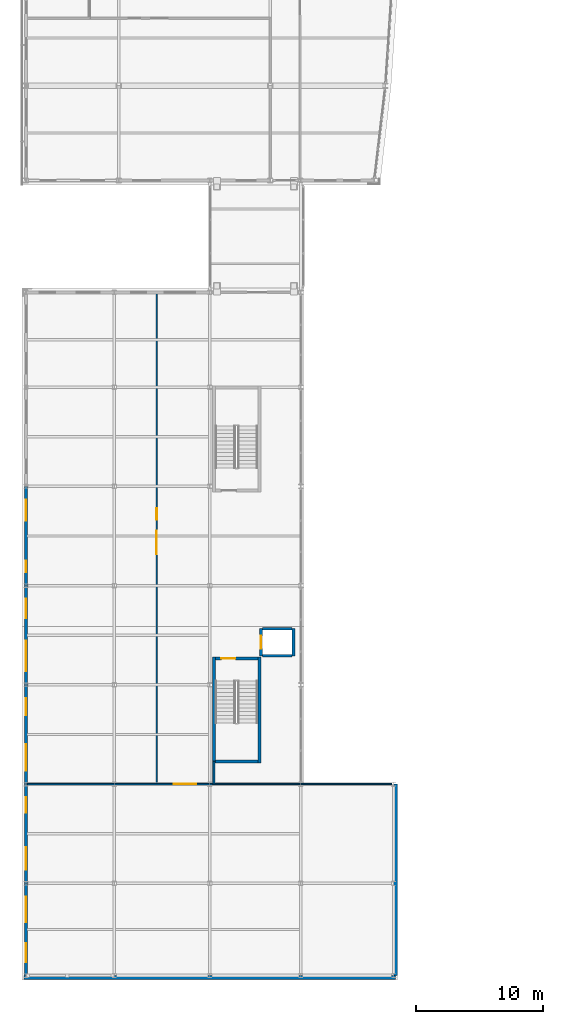
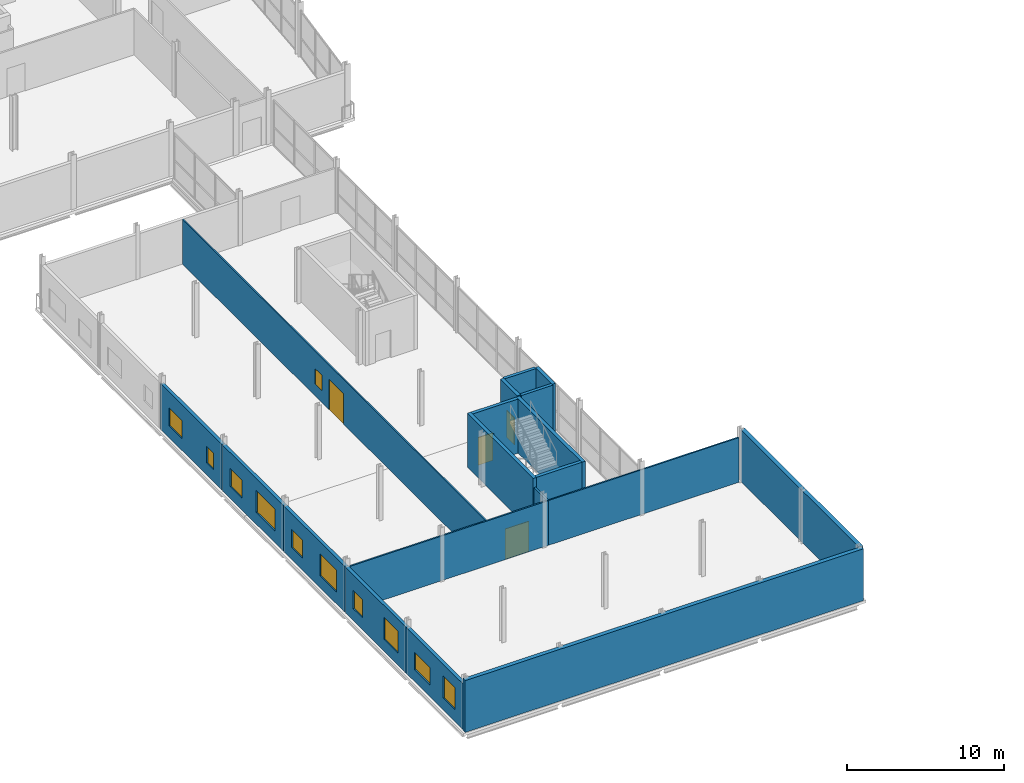
# One storey, part 48 of 60: 19 walls, 11 windows, 4 doors, 15 openings.
"""IFC4 building model written with IfcOpenShell, lengths in metres."""

from ifc_helpers import new_model, si_unit, direction, frame, frame_2d, origin, place, context, subcontext, project, spatial, rectangle, extrude, material, layer, layer_set, type_object, element, fill, save


model = new_model("IFC4")

# Units and contexts
model_context = context("Model", 3, precision=1e-05, world=origin(), true_north=direction((0.0, 1.0)))
body_context = subcontext(model_context, "Body", "Model", "MODEL_VIEW")
ifc_project = project(units=[si_unit("LENGTHUNIT", "METRE"), si_unit("AREAUNIT", "SQUARE_METRE"), si_unit("VOLUMEUNIT", "CUBIC_METRE"), si_unit("PLANEANGLEUNIT", "RADIAN"), si_unit("MASSUNIT", "GRAM", prefix="KILO")], contexts=[model_context])

# Site, building, storey
site_placement = place(None, origin())
site = spatial("IfcSite", under=ifc_project, at=site_placement, CompositionType="ELEMENT")
building_placement = place(site_placement, origin())
building = spatial("IfcBuilding", under=site, at=building_placement, Name="Quillay Park Conservatory", CompositionType="ELEMENT")
storey_placement = place(building_placement, frame((0.0, 0.0, 9.89990234375)))
storey = spatial("IfcBuildingStorey", under=building, at=storey_placement, Name="L02", CompositionType="ELEMENT", Elevation=9.89990234375)

# Wall, openings, window, door
ifc_material_1 = material(Name="Steel-Stud Acoustic Gypsum Board Partition", Category="steel")
ifc_layer_1 = layer(ifc_material_1, 0.10009765625)
ifc_layer_set_1 = layer_set([ifc_layer_1], Name="ACOUSTIC GYPSUM PARTITION 100 (Steel-Stud Acoustic Gypsum Board Partition)")
wall_type_1 = type_object("IfcWallType", Name="ACOUSTIC GYPSUM PARTITION 100", PredefinedType="PARTITIONING", material=ifc_layer_set_1)
wall_1_placement = place(storey_placement, frame((10.820068359375, 15.60009765625, 0.0), z_axis=(0.0, 0.0, 1.0), x_axis=(0.0, 1.0, 0.0)))
wall_1 = element("IfcWall", 1, at=wall_1_placement, inside=storey, type_object=wall_type_1, Name="L02 Library Reading Hall East Wall", PredefinedType="PARTITIONING", context=body_context, shape_type="SweptSolid", body=[
    extrude(rectangle(XDim=38.5498046875, YDim=0.10009765625, at=frame_2d((19.27490234375, 0.0))), origin(), (0.0, 0.0, 1.0), 3.466064453125),
])
opening_1_placement = place(wall_1_placement, frame((18.074951171875, 0.0, 0.0)))
opening_1 = element("IfcOpeningElement", 2, at=opening_1_placement, cuts=wall_1, Name="Opening D-RM29", PredefinedType="OPENING", context=body_context, shape_type="SweptSolid", body=[
    extrude(rectangle(XDim=1.85009765625, YDim=2.35009765625, at=frame_2d((0.925048828125, 1.175048828125))), frame((0.0, 0.050048828125, 0.0), z_axis=(0.0, -1.0, 0.0), x_axis=(1.0, 0.0, 0.0)), (0.0, 0.0, 1.0), 0.10009765625),
])
opening_2_placement = place(wall_1_placement, frame((20.77490234375, 0.0, 0.919921875)))
opening_2 = element("IfcOpeningElement", 3, at=opening_2_placement, cuts=wall_1, Name="Opening W-IN05", PredefinedType="OPENING", context=body_context, shape_type="SweptSolid", body=[
    extrude(rectangle(XDim=0.89990234375, YDim=1.199951171875, at=frame_2d((0.449951171875, 0.60009765625))), frame((0.0, 0.050048828125, 0.0), z_axis=(0.0, -1.0, 0.0), x_axis=(1.0, 0.0, 0.0)), (0.0, 0.0, 1.0), 0.10009765625),
])
ifc_material_2 = material(Name="Low-E Double Glazing (Laminated Tempered)", Category="glass")
window_type_1 = type_object("IfcWindowType", Name="OPERABLE VENT WINDOW 900 X1200", PartitioningType="SINGLE_PANEL", PredefinedType="WINDOW", material=ifc_material_2)
window_1_placement = place(opening_2_placement, origin())
window_1 = element("IfcWindow", 4, at=window_1_placement, inside=storey, type_object=window_type_1, Name="L02 Laboratory Vision Panel 005", OverallHeight=1.199951171875, OverallWidth=0.89990234375, PartitioningType="SINGLE_PANEL", PredefinedType="WINDOW", context=body_context, shape_type="SweptSolid", body=[
    extrude(rectangle(XDim=0.89990234375, YDim=1.199951171875, at=frame_2d((0.449951171875, 0.60009765625))), frame((0.0, 0.030029296875, 0.0), z_axis=(0.0, -1.0, 0.0), x_axis=(1.0, 0.0, 0.0)), (0.0, 0.0, 1.0), 0.06005859375),
])
fill(opening_2, window_1)
ifc_material_3 = material(Name="Thermally Broken Anodised Aluminium 6063-T6", Category="aluminium")
door_type_1 = type_object("IfcDoorType", Name="SINGLE SWING DOOR 1850 X2350", OperationType="NOTDEFINED", PredefinedType="DOOR", material=ifc_material_3)
door_1_placement = place(opening_1_placement, origin())
door_1 = element("IfcDoor", 5, at=door_1_placement, inside=storey, type_object=door_type_1, Name="L02 Door to Botanical Reference Library Reading Hall", OperationType="SINGLE_SWING_LEFT", OverallHeight=2.35009765625, OverallWidth=1.85009765625, PredefinedType="DOOR", context=body_context, shape_type="SweptSolid", body=[
    extrude(rectangle(XDim=1.85009765625, YDim=2.35009765625, at=frame_2d((0.925048828125, 1.175048828125))), frame((0.0, 0.02490234375, 0.0), z_axis=(0.0, -1.0, 0.0), x_axis=(1.0, 0.0, 0.0)), (0.0, 0.0, 1.0), 0.050048828125),
])
fill(opening_1, door_1)

# Wall
ifc_material_4 = material(Name="Steel-Stud Acoustic Gypsum Board Partition", Category="steel")
ifc_layer_2 = layer(ifc_material_4, 0.10498046875)
ifc_layer_set_2 = layer_set([ifc_layer_2], Name="ACOUSTIC GYPSUM PARTITION 105 (Steel-Stud Acoustic Gypsum Board Partition)")
wall_type_2 = type_object("IfcWallType", Name="ACOUSTIC GYPSUM PARTITION 105", PredefinedType="PARTITIONING", material=ifc_layer_set_2)
wall_2_placement = place(storey_placement, frame((29.301513671875, 15.60009765625, 0.0), z_axis=(0.0, 0.0, 1.0), x_axis=(-1.0, 0.0, 0.0)))
element("IfcWall", 6, at=wall_2_placement, inside=storey, type_object=wall_type_2, Name="L02 Rare Book North Wall E", PredefinedType="PARTITIONING", context=body_context, shape_type="SweptSolid", body=[
    extrude(rectangle(XDim=13.9814453125, YDim=0.10498046875, at=frame_2d((6.99072265625, 0.0))), origin(), (0.0, 0.0, 1.0), 3.466064453125),
])

# Wall, opening, door
ifc_material_5 = material(Name="Steel-Stud Acoustic Gypsum Board Partition", Category="steel")
ifc_layer_3 = layer(ifc_material_5, 0.110107421875)
ifc_layer_set_3 = layer_set([ifc_layer_3], Name="ACOUSTIC GYPSUM PARTITION 110 (Steel-Stud Acoustic Gypsum Board Partition)")
wall_type_3 = type_object("IfcWallType", Name="ACOUSTIC GYPSUM PARTITION 110", PredefinedType="PARTITIONING", material=ifc_layer_set_3)
wall_3_placement = place(storey_placement, frame((0.64990234375, 15.60009765625, 0.0), z_axis=(0.0, 0.0, 1.0), x_axis=(1.0, 0.0, 0.0)))
wall_3 = element("IfcWall", 7, at=wall_3_placement, inside=storey, type_object=wall_type_3, Name="L02 Rare Book North Wall W", PredefinedType="PARTITIONING", context=body_context, shape_type="SweptSolid", body=[
    extrude(rectangle(XDim=14.670166015625, YDim=0.110107421875, at=frame_2d((7.3349609375, 0.0))), origin(), (0.0, 0.0, 1.0), 3.466064453125),
])
opening_3_placement = place(wall_3_placement, frame((11.52490234375, 0.0, 0.0)))
opening_3 = element("IfcOpeningElement", 8, at=opening_3_placement, cuts=wall_3, Name="Opening D-RM28", PredefinedType="OPENING", context=body_context, shape_type="SweptSolid", body=[
    extrude(rectangle(XDim=1.75, YDim=2.35009765625, at=frame_2d((0.875, 1.175048828125))), frame((0.0, 0.05517578125, 0.0), z_axis=(0.0, -1.0, 0.0), x_axis=(1.0, 0.0, 0.0)), (0.0, 0.0, 1.0), 0.110107421875),
])
ifc_material_6 = material(Name="Thermally Broken Anodised Aluminium 6063-T6", Category="aluminium")
door_type_2 = type_object("IfcDoorType", Name="SINGLE SWING DOOR 1750 X2350", OperationType="NOTDEFINED", PredefinedType="DOOR", material=ifc_material_6)
door_2_placement = place(opening_3_placement, origin())
door_2 = element("IfcDoor", 9, at=door_2_placement, inside=storey, type_object=door_type_2, Name="L02 Door to Historical Floras Rare Book Room", OperationType="SINGLE_SWING_RIGHT", OverallHeight=2.35009765625, OverallWidth=1.75, PredefinedType="DOOR", context=body_context, shape_type="SweptSolid", body=[
    extrude(rectangle(XDim=1.75, YDim=2.35009765625, at=frame_2d((0.875, 1.175048828125))), frame((0.0, 0.02490234375, 0.0), z_axis=(0.0, -1.0, 0.0), x_axis=(1.0, 0.0, 0.0)), (0.0, 0.0, 1.0), 0.050048828125),
])
fill(opening_3, door_2)

# Walls
ifc_material_7 = material(Name="Steel-Stud Acoustic Gypsum Board Partition", Category="steel")
ifc_layer_4 = layer(ifc_material_7, 0.139892578125)
ifc_layer_set_4 = layer_set([ifc_layer_4], Name="ACOUSTIC GYPSUM PARTITION 140 (Steel-Stud Acoustic Gypsum Board Partition)")
wall_type_4 = type_object("IfcWallType", Name="ACOUSTIC GYPSUM PARTITION 140", PredefinedType="PARTITIONING", material=ifc_layer_set_4)
wall_4_placement = place(storey_placement, frame((15.320068359375, 15.60009765625, 0.0), z_axis=(0.0, 0.0, 1.0), x_axis=(0.0, 1.0, 0.0)))
element("IfcWall", 10, at=wall_4_placement, inside=storey, type_object=wall_type_4, Name="L02 V3 Core South-West Closure", PredefinedType="PARTITIONING", context=body_context, shape_type="SweptSolid", body=[
    extrude(rectangle(XDim=1.77978515625, YDim=0.139892578125, at=frame_2d((0.889892578125, 0.0))), origin(), (0.0, 0.0, 1.0), 3.466064453125),
])
ifc_material_8 = material(Name="Concrete C35/45 (NCh170 Concrete C35/45)", Category="concrete")
ifc_layer_5 = layer(ifc_material_8, 0.22509765625)
ifc_layer_set_5 = layer_set([ifc_layer_5], Name="CORE SHEAR WALL 225 (Concrete C35/45 (NCh170 Concrete C35/45))")
wall_type_5 = type_object("IfcWallType", Name="CORE SHEAR WALL 225", PredefinedType="SHEAR", material=ifc_layer_set_5)
for number, where, z_axis, x_axis, name in (
    (11, (19.14990234375, 25.6875, 0.0), (0.0, 0.0, 1.0), (1.0, 0.0, 0.0), "L02 Core Shear Wall WL-LFV1S-L02"),
    (12, (19.14990234375, 27.8125, 0.0), (0.0, 0.0, 1.0), (1.0, 0.0, 0.0), "L02 Core Shear Wall WL-LFV1N-L02"),
):
    element("IfcWall", number, at=place(storey_placement, frame(where, z_axis=z_axis, x_axis=x_axis)), inside=storey, type_object=wall_type_5, Name=name, PredefinedType="SHEAR", context=body_context, shape_type="SweptSolid", body=[
        extrude(rectangle(XDim=2.300048828125, YDim=0.22509765625, at=frame_2d((1.14990234375, 0.0))), origin(), (0.0, 0.0, 1.0), 4.2001953125),
    ])
ifc_material_9 = material(Name="Concrete C40/50 (NCh170 Concrete C40/50)", Category="concrete")
ifc_layer_6 = layer(ifc_material_9, 0.25)
ifc_layer_set_6 = layer_set([ifc_layer_6], Name="CORE SHEAR WALL 250 (Concrete C40/50 (NCh170 Concrete C40/50))")
wall_type_6 = type_object("IfcWallType", Name="CORE SHEAR WALL 250", PredefinedType="SHEAR", material=ifc_layer_set_6)
for number, where, z_axis, x_axis, name in (
    (13, (15.324951171875, 17.25, 0.0), (0.0, 0.0, 1.0), (0.0, 1.0, 0.0), "L02 Core Shear Wall WL-V1W-L02"),
    (14, (18.89501953125, 17.25, 0.0), (0.0, 0.0, 1.0), (0.0, 1.0, 0.0), "L02 Core Shear Wall WL-V1E-L02"),
):
    element("IfcWall", number, at=place(storey_placement, frame(where, z_axis=z_axis, x_axis=x_axis)), inside=storey, type_object=wall_type_6, Name=name, PredefinedType="SHEAR", context=body_context, shape_type="SweptSolid", body=[
        extrude(rectangle(XDim=8.35009765625, YDim=0.25, at=frame_2d((4.175048828125, 0.0))), origin(), (0.0, 0.0, 1.0), 4.2001953125),
    ])
wall_5_placement = place(storey_placement, frame((15.449951171875, 17.375, 0.0), z_axis=(0.0, 0.0, 1.0), x_axis=(1.0, 0.0, 0.0)))
element("IfcWall", 15, at=wall_5_placement, inside=storey, type_object=wall_type_6, Name="L02 Core Shear Wall WL-V1S-L02", PredefinedType="SHEAR", context=body_context, shape_type="SweptSolid", body=[
    extrude(rectangle(XDim=3.320068359375, YDim=0.25, at=frame_2d((1.66015625, 0.0))), origin(), (0.0, 0.0, 1.0), 4.2001953125),
])

# Wall, opening, door
wall_6_placement = place(storey_placement, frame((15.449951171875, 25.47509765625, 0.0), z_axis=(0.0, 0.0, 1.0), x_axis=(1.0, 0.0, 0.0)))
wall_6 = element("IfcWall", 16, at=wall_6_placement, inside=storey, type_object=wall_type_6, Name="L02 Core Shear Wall WL-V1D-L02", PredefinedType="SHEAR", context=body_context, shape_type="SweptSolid", body=[
    extrude(rectangle(XDim=3.320068359375, YDim=0.25, at=frame_2d((1.66015625, 0.0))), origin(), (0.0, 0.0, 1.0), 4.2001953125),
])
opening_4_placement = place(wall_6_placement, frame((0.449951171875, 0.0, 0.0)))
opening_4 = element("IfcOpeningElement", 17, at=opening_4_placement, cuts=wall_6, Name="Opening D-ST01", PredefinedType="OPENING", context=body_context, shape_type="SweptSolid", body=[
    extrude(rectangle(XDim=1.10009765625, YDim=2.14990234375, at=frame_2d((0.550048828125, 1.074951171875))), frame((0.0, 0.125, 0.0), z_axis=(0.0, -1.0, 0.0), x_axis=(1.0, 0.0, 0.0)), (0.0, 0.0, 1.0), 0.25),
])
ifc_material_10 = material(Name="Steel ASTM A572 Grade 50", Category="steel")
door_type_3 = type_object("IfcDoorType", Name="FIRE RATED STAIR DOOR 1100 X2150", OperationType="NOTDEFINED", PredefinedType="DOOR", material=ifc_material_10)
door_3_placement = place(opening_4_placement, origin())
door_3 = element("IfcDoor", 18, at=door_3_placement, inside=storey, type_object=door_type_3, Name="L02 Visitor Stair ST-V1 Door", OperationType="SINGLE_SWING_LEFT", OverallHeight=2.14990234375, OverallWidth=1.10009765625, PredefinedType="DOOR", context=body_context, shape_type="SweptSolid", body=[
    extrude(rectangle(XDim=1.10009765625, YDim=2.14990234375, at=frame_2d((0.550048828125, 1.074951171875))), frame((0.0, 0.02490234375, 0.0), z_axis=(0.0, -1.0, 0.0), x_axis=(1.0, 0.0, 0.0)), (0.0, 0.0, 1.0), 0.050048828125),
])
fill(opening_4, door_3)

# Wall
wall_7_placement = place(storey_placement, frame((21.574951171875, 25.675048828125, 0.0), z_axis=(0.0, 0.0, 1.0), x_axis=(0.0, 1.0, 0.0)))
element("IfcWall", 19, at=wall_7_placement, inside=storey, type_object=wall_type_6, Name="L02 Core Shear Wall WL-LFV1B-L02", PredefinedType="SHEAR", context=body_context, shape_type="SweptSolid", body=[
    extrude(rectangle(XDim=2.14990234375, YDim=0.25, at=frame_2d((1.074951171875, 0.0))), origin(), (0.0, 0.0, 1.0), 4.2001953125),
])

# Wall, opening, door
wall_8_placement = place(storey_placement, frame((19.02490234375, 25.675048828125, 0.0), z_axis=(0.0, 0.0, 1.0), x_axis=(0.0, 1.0, 0.0)))
wall_8 = element("IfcWall", 20, at=wall_8_placement, inside=storey, type_object=wall_type_6, Name="L02 Core Shear Wall WL-LFV1F-L02", PredefinedType="SHEAR", context=body_context, shape_type="SweptSolid", body=[
    extrude(rectangle(XDim=2.14990234375, YDim=0.25, at=frame_2d((1.074951171875, 0.0))), origin(), (0.0, 0.0, 1.0), 4.2001953125),
])
opening_5_placement = place(wall_8_placement, frame((0.574951171875, 0.0, 0.0)))
opening_5 = element("IfcOpeningElement", 21, at=opening_5_placement, cuts=wall_8, Name="Opening LD04", PredefinedType="OPENING", context=body_context, shape_type="SweptSolid", body=[
    extrude(rectangle(XDim=1.0, YDim=2.10009765625, at=frame_2d((0.5, 1.050048828125))), frame((0.0, 0.125, 0.0), z_axis=(0.0, -1.0, 0.0), x_axis=(1.0, 0.0, 0.0)), (0.0, 0.0, 1.0), 0.25),
])
ifc_material_11 = material(Name="Steel ASTM A572 Grade 50", Category="steel")
door_type_4 = type_object("IfcDoorType", Name="LIFT LANDING SLIDING DOOR 1000 X2100", OperationType="NOTDEFINED", PredefinedType="DOOR", material=ifc_material_11)
door_4_placement = place(opening_5_placement, origin())
door_4 = element("IfcDoor", 22, at=door_4_placement, inside=storey, type_object=door_type_4, Name="L02 LF-V1 Lift Landing Door LD04", OperationType="SLIDING_TO_LEFT", OverallHeight=2.10009765625, OverallWidth=1.0, PredefinedType="DOOR", context=body_context, shape_type="SweptSolid", body=[
    extrude(rectangle(XDim=1.0, YDim=2.10009765625, at=frame_2d((0.5, 1.050048828125))), frame((0.0, 0.02490234375, 0.0), z_axis=(0.0, -1.0, 0.0), x_axis=(1.0, 0.0, 0.0)), (0.0, 0.0, 1.0), 0.050048828125),
])
fill(opening_5, door_4)

# Wall, openings, windows
ifc_material_12 = material(Name="Glass-Fibre Reinforced Concrete (GRC) Cladding", Category="concrete")
ifc_layer_7 = layer(ifc_material_12, 0.239990234375)
ifc_layer_set_7 = layer_set([ifc_layer_7], Name="EXTERIOR SOLID WALL 240 (Glass-Fibre Reinforced Concrete (GRC) Cladding)")
wall_type_7 = type_object("IfcWallType", Name="EXTERIOR SOLID WALL 240", PredefinedType="SOLIDWALL", material=ifc_layer_set_7)
wall_9_placement = place(storey_placement, frame((0.550048828125, 0.550048828125, 0.0), z_axis=(0.0, 0.0, 1.0), x_axis=(0.0, 1.0, 0.0)))
wall_9 = element("IfcWall", 23, at=wall_9_placement, inside=storey, type_object=wall_type_7, Name="L02 External Wall WL-EXT-V3W-L02-0", PredefinedType="SOLIDWALL", context=body_context, shape_type="SweptSolid", body=[
    extrude(rectangle(XDim=7.25, YDim=0.239990234375, at=frame_2d((3.625, 0.0))), origin(), (0.0, 0.0, 1.0), 3.5419921875),
])
opening_6_placement = place(wall_9_placement, frame((1.050048828125, 0.0, 0.919921875)))
opening_6 = element("IfcOpeningElement", 24, at=opening_6_placement, cuts=wall_9, Name="Opening W-13", PredefinedType="OPENING", context=body_context, shape_type="SweptSolid", body=[
    extrude(rectangle(XDim=1.5, YDim=1.699951171875, at=frame_2d((0.75, 0.85009765625))), frame((0.0, 0.1201171875, 0.0), z_axis=(0.0, -1.0, 0.0), x_axis=(1.0, 0.0, 0.0)), (0.0, 0.0, 1.0), 0.239990234375),
])
opening_7_placement = place(wall_9_placement, frame((4.199951171875, 0.0, 0.919921875)))
opening_7 = element("IfcOpeningElement", 25, at=opening_7_placement, cuts=wall_9, Name="Opening W-20", PredefinedType="OPENING", context=body_context, shape_type="SweptSolid", body=[
    extrude(rectangle(XDim=2.0, YDim=1.35009765625, at=frame_2d((1.0, 0.675048828125))), frame((0.0, 0.1201171875, 0.0), z_axis=(0.0, -1.0, 0.0), x_axis=(1.0, 0.0, 0.0)), (0.0, 0.0, 1.0), 0.239990234375),
])
ifc_material_13 = material(Name="Low-E Double Glazing (Laminated Tempered)", Category="glass")
window_type_2 = type_object("IfcWindowType", Name="FIXED CASEMENT WINDOW 1500 X1700", PartitioningType="SINGLE_PANEL", PredefinedType="WINDOW", material=ifc_material_13)
window_2_placement = place(opening_6_placement, origin())
window_2 = element("IfcWindow", 26, at=window_2_placement, inside=storey, type_object=window_type_2, Name="L02 Exterior Window 0033", OverallHeight=1.699951171875, OverallWidth=1.5, PartitioningType="SINGLE_PANEL", PredefinedType="WINDOW", context=body_context, shape_type="SweptSolid", body=[
    extrude(rectangle(XDim=1.5, YDim=1.699951171875, at=frame_2d((0.75, 0.85009765625))), frame((0.0, 0.030029296875, 0.0), z_axis=(0.0, -1.0, 0.0), x_axis=(1.0, 0.0, 0.0)), (0.0, 0.0, 1.0), 0.06005859375),
])
fill(opening_6, window_2)
ifc_material_14 = material(Name="Low-E Double Glazing (Laminated Tempered)", Category="glass")
window_type_3 = type_object("IfcWindowType", Name="FIXED CASEMENT WINDOW 2000 X1350", PartitioningType="DOUBLE_PANEL_VERTICAL", PredefinedType="WINDOW", material=ifc_material_14)
window_3_placement = place(opening_7_placement, origin())
window_3 = element("IfcWindow", 27, at=window_3_placement, inside=storey, type_object=window_type_3, Name="L02 Exterior Window 0034", OverallHeight=1.35009765625, OverallWidth=2.0, PartitioningType="DOUBLE_PANEL_VERTICAL", PredefinedType="WINDOW", context=body_context, shape_type="SweptSolid", body=[
    extrude(rectangle(XDim=2.0, YDim=1.35009765625, at=frame_2d((1.0, 0.675048828125))), frame((0.0, 0.030029296875, 0.0), z_axis=(0.0, -1.0, 0.0), x_axis=(1.0, 0.0, 0.0)), (0.0, 0.0, 1.0), 0.06005859375),
])
fill(opening_7, window_3)

wall_10_placement = place(storey_placement, frame((0.550048828125, 7.800048828125, 0.0), z_axis=(0.0, 0.0, 1.0), x_axis=(0.0, 1.0, 0.0)))
wall_10 = element("IfcWall", 28, at=wall_10_placement, inside=storey, type_object=wall_type_7, Name="L02 External Wall WL-EXT-V3W-L02-1", PredefinedType="SOLIDWALL", context=body_context, shape_type="SweptSolid", body=[
    extrude(rectangle(XDim=7.800048828125, YDim=0.239990234375, at=frame_2d((3.89990234375, 0.0))), origin(), (0.0, 0.0, 1.0), 3.5419921875),
])
opening_8_placement = place(wall_10_placement, frame((1.050048828125, 0.0, 0.919921875)))
opening_8 = element("IfcOpeningElement", 29, at=opening_8_placement, cuts=wall_10, Name="Opening W-14", PredefinedType="OPENING", context=body_context, shape_type="SweptSolid", body=[
    extrude(rectangle(XDim=1.800048828125, YDim=1.699951171875, at=frame_2d((0.89990234375, 0.85009765625))), frame((0.0, 0.1201171875, 0.0), z_axis=(0.0, -1.0, 0.0), x_axis=(1.0, 0.0, 0.0)), (0.0, 0.0, 1.0), 0.239990234375),
])
opening_9_placement = place(wall_10_placement, frame((5.550048828125, 0.0, 0.919921875)))
opening_9 = element("IfcOpeningElement", 30, at=opening_9_placement, cuts=wall_10, Name="Opening W-01", PredefinedType="OPENING", context=body_context, shape_type="SweptSolid", body=[
    extrude(rectangle(XDim=1.199951171875, YDim=1.39990234375, at=frame_2d((0.60009765625, 0.699951171875))), frame((0.0, 0.1201171875, 0.0), z_axis=(0.0, -1.0, 0.0), x_axis=(1.0, 0.0, 0.0)), (0.0, 0.0, 1.0), 0.239990234375),
])
ifc_material_15 = material(Name="Low-E Double Glazing (Laminated Tempered)", Category="glass")
window_type_4 = type_object("IfcWindowType", Name="FIXED CASEMENT WINDOW 1200 X1400", PartitioningType="SINGLE_PANEL", PredefinedType="WINDOW", material=ifc_material_15)
window_4_placement = place(opening_9_placement, origin())
window_4 = element("IfcWindow", 31, at=window_4_placement, inside=storey, type_object=window_type_4, Name="L02 Exterior Window 0036", OverallHeight=1.39990234375, OverallWidth=1.199951171875, PartitioningType="SINGLE_PANEL", PredefinedType="WINDOW", context=body_context, shape_type="SweptSolid", body=[
    extrude(rectangle(XDim=1.199951171875, YDim=1.39990234375, at=frame_2d((0.60009765625, 0.699951171875))), frame((0.0, 0.030029296875, 0.0), z_axis=(0.0, -1.0, 0.0), x_axis=(1.0, 0.0, 0.0)), (0.0, 0.0, 1.0), 0.06005859375),
])
fill(opening_9, window_4)
ifc_material_16 = material(Name="Low-E Double Glazing (Laminated Tempered)", Category="glass")
window_type_5 = type_object("IfcWindowType", Name="FIXED CASEMENT WINDOW 1800 X1700", PartitioningType="DOUBLE_PANEL_VERTICAL", PredefinedType="WINDOW", material=ifc_material_16)
window_5_placement = place(opening_8_placement, origin())
window_5 = element("IfcWindow", 32, at=window_5_placement, inside=storey, type_object=window_type_5, Name="L02 Exterior Window 0035", OverallHeight=1.699951171875, OverallWidth=1.800048828125, PartitioningType="DOUBLE_PANEL_VERTICAL", PredefinedType="WINDOW", context=body_context, shape_type="SweptSolid", body=[
    extrude(rectangle(XDim=1.800048828125, YDim=1.699951171875, at=frame_2d((0.89990234375, 0.85009765625))), frame((0.0, 0.030029296875, 0.0), z_axis=(0.0, -1.0, 0.0), x_axis=(1.0, 0.0, 0.0)), (0.0, 0.0, 1.0), 0.06005859375),
])
fill(opening_8, window_5)

wall_11_placement = place(storey_placement, frame((0.550048828125, 15.60009765625, 0.0), z_axis=(0.0, 0.0, 1.0), x_axis=(0.0, 1.0, 0.0)))
wall_11 = element("IfcWall", 33, at=wall_11_placement, inside=storey, type_object=wall_type_7, Name="L02 External Wall WL-EXT-V3W-L02-2", PredefinedType="SOLIDWALL", context=body_context, shape_type="SweptSolid", body=[
    extrude(rectangle(XDim=7.7998046875, YDim=0.239990234375, at=frame_2d((3.89990234375, 0.0))), origin(), (0.0, 0.0, 1.0), 3.5419921875),
])
opening_10_placement = place(wall_11_placement, frame((1.050048828125, 0.0, 0.919921875)))
opening_10 = element("IfcOpeningElement", 34, at=opening_10_placement, cuts=wall_11, Name="Opening W-15", PredefinedType="OPENING", context=body_context, shape_type="SweptSolid", body=[
    extrude(rectangle(XDim=2.10009765625, YDim=1.699951171875, at=frame_2d((1.050048828125, 0.85009765625))), frame((0.0, 0.1201171875, 0.0), z_axis=(0.0, -1.0, 0.0), x_axis=(1.0, 0.0, 0.0)), (0.0, 0.0, 1.0), 0.239990234375),
])
opening_11_placement = place(wall_11_placement, frame((5.39990234375, 0.0, 0.919921875)))
opening_11 = element("IfcOpeningElement", 35, at=opening_11_placement, cuts=wall_11, Name="Opening W-02", PredefinedType="OPENING", context=body_context, shape_type="SweptSolid", body=[
    extrude(rectangle(XDim=1.35009765625, YDim=1.39990234375, at=frame_2d((0.675048828125, 0.699951171875))), frame((0.0, 0.1201171875, 0.0), z_axis=(0.0, -1.0, 0.0), x_axis=(1.0, 0.0, 0.0)), (0.0, 0.0, 1.0), 0.239990234375),
])
ifc_material_17 = material(Name="Low-E Double Glazing (Laminated Tempered)", Category="glass")
window_type_6 = type_object("IfcWindowType", Name="FIXED CASEMENT WINDOW 1350 X1400", PartitioningType="SINGLE_PANEL", PredefinedType="WINDOW", material=ifc_material_17)
window_6_placement = place(opening_11_placement, origin())
window_6 = element("IfcWindow", 36, at=window_6_placement, inside=storey, type_object=window_type_6, Name="L02 Exterior Window 0038", OverallHeight=1.39990234375, OverallWidth=1.35009765625, PartitioningType="SINGLE_PANEL", PredefinedType="WINDOW", context=body_context, shape_type="SweptSolid", body=[
    extrude(rectangle(XDim=1.35009765625, YDim=1.39990234375, at=frame_2d((0.675048828125, 0.699951171875))), frame((0.0, 0.030029296875, 0.0), z_axis=(0.0, -1.0, 0.0), x_axis=(1.0, 0.0, 0.0)), (0.0, 0.0, 1.0), 0.06005859375),
])
fill(opening_11, window_6)
ifc_material_18 = material(Name="Low-E Double Glazing (Laminated Tempered)", Category="glass")
window_type_7 = type_object("IfcWindowType", Name="FIXED CASEMENT WINDOW 2100 X1700", PartitioningType="DOUBLE_PANEL_VERTICAL", PredefinedType="WINDOW", material=ifc_material_18)
window_7_placement = place(opening_10_placement, origin())
window_7 = element("IfcWindow", 37, at=window_7_placement, inside=storey, type_object=window_type_7, Name="L02 Exterior Window 0037", OverallHeight=1.699951171875, OverallWidth=2.10009765625, PartitioningType="DOUBLE_PANEL_VERTICAL", PredefinedType="WINDOW", context=body_context, shape_type="SweptSolid", body=[
    extrude(rectangle(XDim=2.10009765625, YDim=1.699951171875, at=frame_2d((1.050048828125, 0.85009765625))), frame((0.0, 0.030029296875, 0.0), z_axis=(0.0, -1.0, 0.0), x_axis=(1.0, 0.0, 0.0)), (0.0, 0.0, 1.0), 0.06005859375),
])
fill(opening_10, window_7)

wall_12_placement = place(storey_placement, frame((0.550048828125, 23.39990234375, 0.0), z_axis=(0.0, 0.0, 1.0), x_axis=(0.0, 1.0, 0.0)))
wall_12 = element("IfcWall", 38, at=wall_12_placement, inside=storey, type_object=wall_type_7, Name="L02 External Wall WL-EXT-V3W-L02-3", PredefinedType="SOLIDWALL", context=body_context, shape_type="SweptSolid", body=[
    extrude(rectangle(XDim=7.800048828125, YDim=0.239990234375, at=frame_2d((3.89990234375, 0.0))), origin(), (0.0, 0.0, 1.0), 3.5419921875),
])
opening_12_placement = place(wall_12_placement, frame((1.050048828125, 0.0, 0.919921875)))
opening_12 = element("IfcOpeningElement", 39, at=opening_12_placement, cuts=wall_12, Name="Opening W-16", PredefinedType="OPENING", context=body_context, shape_type="SweptSolid", body=[
    extrude(rectangle(XDim=2.39990234375, YDim=1.699951171875, at=frame_2d((1.199951171875, 0.85009765625))), frame((0.0, 0.1201171875, 0.0), z_axis=(0.0, -1.0, 0.0), x_axis=(1.0, 0.0, 0.0)), (0.0, 0.0, 1.0), 0.239990234375),
])
opening_13_placement = place(wall_12_placement, frame((5.25, 0.0, 0.919921875)))
opening_13 = element("IfcOpeningElement", 40, at=opening_13_placement, cuts=wall_12, Name="Opening W-03", PredefinedType="OPENING", context=body_context, shape_type="SweptSolid", body=[
    extrude(rectangle(XDim=1.5, YDim=1.39990234375, at=frame_2d((0.75, 0.699951171875))), frame((0.0, 0.1201171875, 0.0), z_axis=(0.0, -1.0, 0.0), x_axis=(1.0, 0.0, 0.0)), (0.0, 0.0, 1.0), 0.239990234375),
])
ifc_material_19 = material(Name="Low-E Double Glazing (Laminated Tempered)", Category="glass")
window_type_8 = type_object("IfcWindowType", Name="FIXED CASEMENT WINDOW 1500 X1400", PartitioningType="SINGLE_PANEL", PredefinedType="WINDOW", material=ifc_material_19)
window_8_placement = place(opening_13_placement, origin())
window_8 = element("IfcWindow", 41, at=window_8_placement, inside=storey, type_object=window_type_8, Name="L02 Exterior Window 0040", OverallHeight=1.39990234375, OverallWidth=1.5, PartitioningType="SINGLE_PANEL", PredefinedType="WINDOW", context=body_context, shape_type="SweptSolid", body=[
    extrude(rectangle(XDim=1.5, YDim=1.39990234375, at=frame_2d((0.75, 0.699951171875))), frame((0.0, 0.030029296875, 0.0), z_axis=(0.0, -1.0, 0.0), x_axis=(1.0, 0.0, 0.0)), (0.0, 0.0, 1.0), 0.06005859375),
])
fill(opening_13, window_8)
ifc_material_20 = material(Name="Low-E Double Glazing (Laminated Tempered)", Category="glass")
window_type_9 = type_object("IfcWindowType", Name="FIXED CASEMENT WINDOW 2400 X1700", PartitioningType="DOUBLE_PANEL_VERTICAL", PredefinedType="WINDOW", material=ifc_material_20)
window_9_placement = place(opening_12_placement, origin())
window_9 = element("IfcWindow", 42, at=window_9_placement, inside=storey, type_object=window_type_9, Name="L02 Exterior Window 0039", OverallHeight=1.699951171875, OverallWidth=2.39990234375, PartitioningType="DOUBLE_PANEL_VERTICAL", PredefinedType="WINDOW", context=body_context, shape_type="SweptSolid", body=[
    extrude(rectangle(XDim=2.39990234375, YDim=1.699951171875, at=frame_2d((1.199951171875, 0.85009765625))), frame((0.0, 0.030029296875, 0.0), z_axis=(0.0, -1.0, 0.0), x_axis=(1.0, 0.0, 0.0)), (0.0, 0.0, 1.0), 0.06005859375),
])
fill(opening_12, window_9)

wall_13_placement = place(storey_placement, frame((0.550048828125, 31.199951171875, 0.0), z_axis=(0.0, 0.0, 1.0), x_axis=(0.0, 1.0, 0.0)))
wall_13 = element("IfcWall", 43, at=wall_13_placement, inside=storey, type_object=wall_type_7, Name="L02 External Wall WL-EXT-V3W-L02-4", PredefinedType="SOLIDWALL", context=body_context, shape_type="SweptSolid", body=[
    extrude(rectangle(XDim=7.800048828125, YDim=0.239990234375, at=frame_2d((3.89990234375, 0.0))), origin(), (0.0, 0.0, 1.0), 3.5419921875),
])
opening_14_placement = place(wall_13_placement, frame((1.050048828125, 0.0, 0.919921875)))
opening_14 = element("IfcOpeningElement", 44, at=opening_14_placement, cuts=wall_13, Name="Opening W-17", PredefinedType="OPENING", context=body_context, shape_type="SweptSolid", body=[
    extrude(rectangle(XDim=0.89990234375, YDim=1.300048828125, at=frame_2d((0.449951171875, 0.64990234375))), frame((0.0, 0.1201171875, 0.0), z_axis=(0.0, -1.0, 0.0), x_axis=(1.0, 0.0, 0.0)), (0.0, 0.0, 1.0), 0.239990234375),
])
opening_15_placement = place(wall_13_placement, frame((5.10009765625, 0.0, 0.919921875)))
opening_15 = element("IfcOpeningElement", 45, at=opening_15_placement, cuts=wall_13, Name="Opening W-04", PredefinedType="OPENING", context=body_context, shape_type="SweptSolid", body=[
    extrude(rectangle(XDim=1.64990234375, YDim=1.39990234375, at=frame_2d((0.824951171875, 0.699951171875))), frame((0.0, 0.1201171875, 0.0), z_axis=(0.0, -1.0, 0.0), x_axis=(1.0, 0.0, 0.0)), (0.0, 0.0, 1.0), 0.239990234375),
])
ifc_material_21 = material(Name="Low-E Double Glazing (Laminated Tempered)", Category="glass")
window_type_10 = type_object("IfcWindowType", Name="FIXED CASEMENT WINDOW 1650 X1400", PartitioningType="DOUBLE_PANEL_VERTICAL", PredefinedType="WINDOW", material=ifc_material_21)
window_10_placement = place(opening_15_placement, origin())
window_10 = element("IfcWindow", 46, at=window_10_placement, inside=storey, type_object=window_type_10, Name="L02 Exterior Window 0042", OverallHeight=1.39990234375, OverallWidth=1.64990234375, PartitioningType="DOUBLE_PANEL_VERTICAL", PredefinedType="WINDOW", context=body_context, shape_type="SweptSolid", body=[
    extrude(rectangle(XDim=1.64990234375, YDim=1.39990234375, at=frame_2d((0.824951171875, 0.699951171875))), frame((0.0, 0.030029296875, 0.0), z_axis=(0.0, -1.0, 0.0), x_axis=(1.0, 0.0, 0.0)), (0.0, 0.0, 1.0), 0.06005859375),
])
fill(opening_15, window_10)
ifc_material_22 = material(Name="Low-E Double Glazing (Laminated Tempered)", Category="glass")
window_type_11 = type_object("IfcWindowType", Name="FIXED CASEMENT WINDOW 900 X1300", PartitioningType="SINGLE_PANEL", PredefinedType="WINDOW", material=ifc_material_22)
window_11_placement = place(opening_14_placement, origin())
window_11 = element("IfcWindow", 47, at=window_11_placement, inside=storey, type_object=window_type_11, Name="L02 Exterior Window 0041", OverallHeight=1.300048828125, OverallWidth=0.89990234375, PartitioningType="SINGLE_PANEL", PredefinedType="WINDOW", context=body_context, shape_type="SweptSolid", body=[
    extrude(rectangle(XDim=0.89990234375, YDim=1.300048828125, at=frame_2d((0.449951171875, 0.64990234375))), frame((0.0, 0.030029296875, 0.0), z_axis=(0.0, -1.0, 0.0), x_axis=(1.0, 0.0, 0.0)), (0.0, 0.0, 1.0), 0.06005859375),
])
fill(opening_14, window_11)

# Walls
ifc_material_23 = material(Name="Concrete C35/45 (NCh170 Concrete C35/45)", Category="concrete")
ifc_layer_8 = layer(ifc_material_23, 0.300048828125)
ifc_layer_set_8 = layer_set([ifc_layer_8], Name="SOLID FIREWALL 300 (Concrete C35/45 (NCh170 Concrete C35/45))")
wall_type_8 = type_object("IfcWallType", Name="SOLID FIREWALL 300", PredefinedType="SOLIDWALL", material=ifc_layer_set_8)
wall_14_placement = place(storey_placement, frame((29.60009765625, 0.39990234375, 0.0), z_axis=(0.0, 0.0, 1.0), x_axis=(-1.0, 0.0, 0.0)))
element("IfcWall", 48, at=wall_14_placement, inside=storey, type_object=wall_type_8, Name="L02 South Party Firewall", PredefinedType="SOLIDWALL", context=body_context, shape_type="SweptSolid", body=[
    extrude(rectangle(XDim=29.2001953125, YDim=0.300048828125, at=frame_2d((14.60009765625, 0.0))), origin(), (0.0, 0.0, 1.0), 4.010009765625),
])
wall_15_placement = place(storey_placement, frame((29.60009765625, 15.60009765625, 0.0), z_axis=(0.0, 0.0, 1.0), x_axis=(0.0, -1.0, 0.0)))
element("IfcWall", 49, at=wall_15_placement, inside=storey, type_object=wall_type_8, Name="L02 Inner-East Party Firewall", PredefinedType="SOLIDWALL", context=body_context, shape_type="SweptSolid", body=[
    extrude(rectangle(XDim=15.050048828125, YDim=0.300048828125, at=frame_2d((7.52490234375, 0.0))), origin(), (0.0, 0.0, 1.0), 4.010009765625),
])

save(model, "model.ifc")
